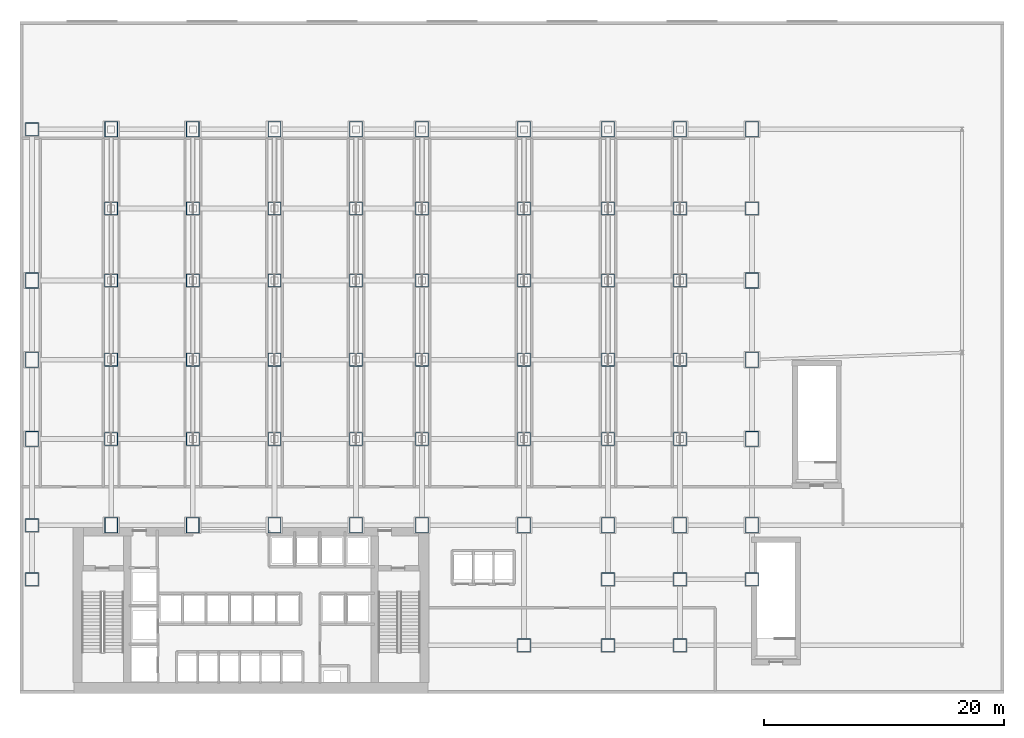
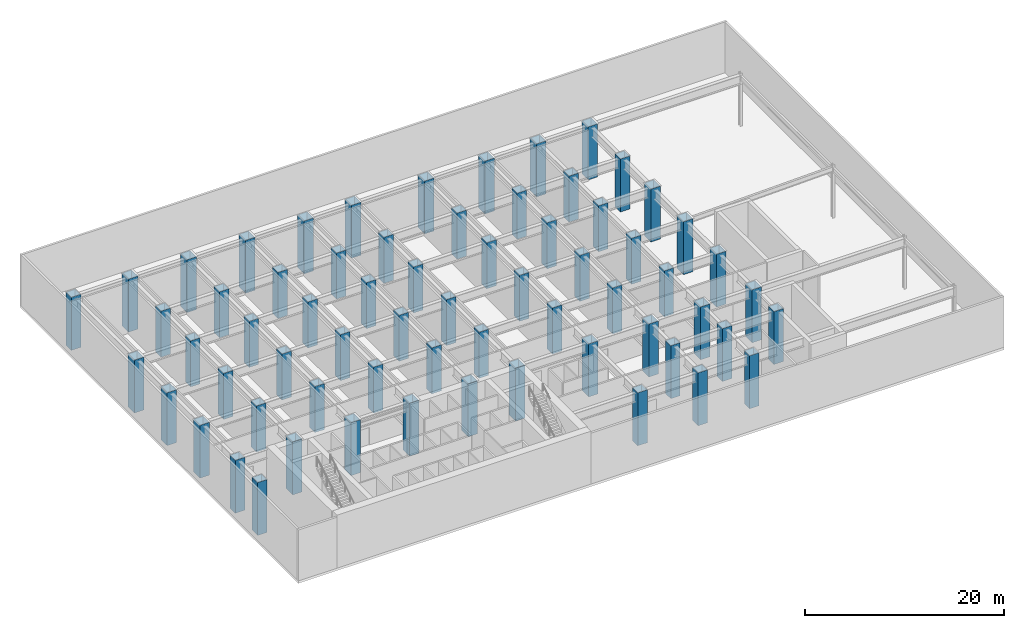
# One storey, part 1 of 15: 66 columns.
"""IFC4 building model written with IfcOpenShell, lengths in metres."""

from ifc_helpers import new_model, si_unit, derived_unit, direction, frame, origin, origin_2d, place, context, subcontext, project, spatial, hollow_rectangle, extrude, source, transform, mapped, material, material_profile, profile_set, type_object, element, save


model = new_model("IFC4")

# Units and contexts
model_context = context("Model", 3, precision=1e-05, world=origin(), true_north=direction((0.0, 1.0)))
body_context = subcontext(model_context, "Body", "Model", "MODEL_VIEW")
ifc_project = project(units=[si_unit("LENGTHUNIT", "METRE"), si_unit("AREAUNIT", "SQUARE_METRE"), si_unit("VOLUMEUNIT", "CUBIC_METRE"), si_unit("PLANEANGLEUNIT", "RADIAN"), si_unit("MASSUNIT", "GRAM", prefix="KILO"), derived_unit("THERMALTRANSMITTANCEUNIT", [(si_unit("POWERUNIT", "WATT"), 1), (si_unit("LENGTHUNIT", "METRE"), -2), (si_unit("THERMODYNAMICTEMPERATUREUNIT", "KELVIN"), -1)])], contexts=[model_context])

# Site, building, storey
site_placement = place(None, origin())
site = spatial("IfcSite", under=ifc_project, at=site_placement, CompositionType="ELEMENT")
building_placement = place(site_placement, origin())
building = spatial("IfcBuilding", under=site, at=building_placement, Name="Skarnbrae Concourse Arena and Tower", CompositionType="ELEMENT")
storey_placement = place(building_placement, frame((0.0, 0.0, 26.0)))
storey = spatial("IfcBuildingStorey", under=building, at=storey_placement, Name="L05", CompositionType="ELEMENT", Elevation=26.0)

# Columns
ifc_material = material(Name="Steel CSA G40.21 350W", Category="steel")
ifc_material_profile_1 = material_profile(ifc_material, hollow_rectangle(XDim=1.10009765625, YDim=1.10009765625, WallThickness=0.050048828125, at=origin_2d()), Name="BOX1100X1100X50")
ifc_profile_set_1 = profile_set([ifc_material_profile_1], Name="Steel CSA G40.21 350W")
column_type_1 = type_object("IfcColumnType", Name="COL-MEGA-BOX1100", PredefinedType="PILASTER", material=ifc_profile_set_1)
shared_shape_1 = source(origin(), body_context, "Body", "SweptSolid", [
    extrude(hollow_rectangle(XDim=1.10009765625, YDim=1.10009765625, WallThickness=0.050048828125, at=origin_2d()), origin(), (0.0, 0.0, 1.0), 6.5),
])
for number, where, z_axis, x_axis, name in (
    (1, (1.0, 9.5, 0.0), (0.0, 0.0, 1.0), (1.0, 0.0, 0.0), "L05 Podium mega-column MC-W0"),
    (2, (1.0, 14.0, 0.0), (0.0, 0.0, 1.0), (1.0, 0.0, 0.0), "L05 Podium mega-column MC-W1"),
    (3, (1.0, 47.0, 0.0), (0.0, 0.0, 1.0), (1.0, 0.0, 0.0), "L05 Podium mega-column MC-W6"),
    (4, (61.0, 9.5, 0.0), (0.0, 0.0, 1.0), (1.0, 0.0, 0.0), "L05 Podium mega-column MC-E0"),
    (5, (61.0, 40.39990234375, 0.0), (0.0, 0.0, 1.0), (1.0, 0.0, 0.0), "L05 Podium mega-column MC-E4"),
    (6, (49.0, 9.5, 0.0), (0.0, 0.0, 1.0), (1.0, 0.0, 0.0), "L05 Podium mega-column PC-SE8"),
    (7, (55.0, 9.5, 0.0), (0.0, 0.0, 1.0), (1.0, 0.0, 0.0), "L05 Podium mega-column PC-SE9"),
    (8, (42.0, 4.0, 0.0), (0.0, 0.0, 1.0), (1.0, 0.0, 0.0), "L05 Podium mega-column PC-7B"),
    (9, (49.0, 4.0, 0.0), (0.0, 0.0, 1.0), (1.0, 0.0, 0.0), "L05 Podium mega-column PC-8B"),
    (10, (55.0, 4.0, 0.0), (0.0, 0.0, 1.0), (1.0, 0.0, 0.0), "L05 Podium mega-column PC-9B"),
):
    element("IfcColumn", number, at=place(storey_placement, frame(where, z_axis=z_axis, x_axis=x_axis)), inside=storey, type_object=column_type_1, Name=name, PredefinedType="PILASTER", context=body_context, shape_type="MappedRepresentation", body=[
        mapped(shared_shape_1, transform((0.0, 0.0, 0.0))),
    ])
ifc_material_profile_2 = material_profile(ifc_material, hollow_rectangle(XDim=1.10009765625, YDim=1.300048828125, WallThickness=0.054931640625, at=origin_2d()), Name="BOX1300X1100X55")
ifc_profile_set_2 = profile_set([ifc_material_profile_2], Name="Steel CSA G40.21 350W")
column_type_2 = type_object("IfcColumnType", Name="COL-MEGA-BOX1300", PredefinedType="PILASTER", material=ifc_profile_set_2)
shared_shape_2 = source(origin(), body_context, "Body", "SweptSolid", [
    extrude(hollow_rectangle(XDim=1.10009765625, YDim=1.300048828125, WallThickness=0.054931640625, at=origin_2d()), origin(), (0.0, 0.0, 1.0), 6.5),
])
for number, where, z_axis, x_axis, name in (
    (11, (1.0, 21.199951171875, 0.0), (0.0, 0.0, 1.0), (1.0, 0.0, 0.0), "L05 Podium mega-column MC-W2"),
    (12, (1.0, 27.800048828125, 0.0), (0.0, 0.0, 1.0), (1.0, 0.0, 0.0), "L05 Podium mega-column MC-W3"),
    (13, (1.0, 34.39990234375, 0.0), (0.0, 0.0, 1.0), (1.0, 0.0, 0.0), "L05 Podium mega-column MC-W4"),
    (14, (7.60009765625, 14.0, 0.0), (0.0, 0.0, 1.0), (1.0, 0.0, 0.0), "L05 Podium mega-column MC-S2"),
    (15, (14.39990234375, 14.0, 0.0), (0.0, 0.0, 1.0), (1.0, 0.0, 0.0), "L05 Podium mega-column MC-S3"),
    (16, (21.199951171875, 14.0, 0.0), (0.0, 0.0, 1.0), (1.0, 0.0, 0.0), "L05 Podium mega-column MC-S4"),
    (17, (28.0, 14.0, 0.0), (0.0, 0.0, 1.0), (1.0, 0.0, 0.0), "L05 Podium mega-column MC-S5"),
    (18, (33.5, 14.0, 0.0), (0.0, 0.0, 1.0), (1.0, 0.0, 0.0), "L05 Podium mega-column MC-S6"),
    (19, (42.0, 14.0, 0.0), (0.0, 0.0, 1.0), (1.0, 0.0, 0.0), "L05 Podium mega-column MC-S7"),
    (20, (49.0, 14.0, 0.0), (0.0, 0.0, 1.0), (1.0, 0.0, 0.0), "L05 Podium mega-column MC-S8"),
    (21, (55.0, 14.0, 0.0), (0.0, 0.0, 1.0), (1.0, 0.0, 0.0), "L05 Podium mega-column MC-S9"),
    (22, (61.0, 14.0, 0.0), (0.0, 0.0, 1.0), (1.0, 0.0, 0.0), "L05 Podium mega-column MC-S10"),
    (23, (7.60009765625, 47.0, 0.0), (0.0, 0.0, 1.0), (1.0, 0.0, 0.0), "L05 Podium mega-column MC-N2"),
    (24, (14.39990234375, 47.0, 0.0), (0.0, 0.0, 1.0), (1.0, 0.0, 0.0), "L05 Podium mega-column MC-N3"),
    (25, (21.199951171875, 47.0, 0.0), (0.0, 0.0, 1.0), (1.0, 0.0, 0.0), "L05 Podium mega-column MC-N4"),
    (26, (28.0, 47.0, 0.0), (0.0, 0.0, 1.0), (1.0, 0.0, 0.0), "L05 Podium mega-column MC-N5"),
    (27, (33.5, 47.0, 0.0), (0.0, 0.0, 1.0), (1.0, 0.0, 0.0), "L05 Podium mega-column MC-N6"),
    (28, (42.0, 47.0, 0.0), (0.0, 0.0, 1.0), (1.0, 0.0, 0.0), "L05 Podium mega-column MC-N7"),
    (29, (49.0, 47.0, 0.0), (0.0, 0.0, 1.0), (1.0, 0.0, 0.0), "L05 Podium mega-column MC-N8"),
    (30, (55.0, 47.0, 0.0), (0.0, 0.0, 1.0), (1.0, 0.0, 0.0), "L05 Podium mega-column MC-N9"),
    (31, (61.0, 47.0, 0.0), (0.0, 0.0, 1.0), (1.0, 0.0, 0.0), "L05 Podium mega-column MC-N10"),
    (32, (61.0, 21.199951171875, 0.0), (0.0, 0.0, 1.0), (1.0, 0.0, 0.0), "L05 Podium mega-column MC-E1"),
    (33, (61.0, 27.800048828125, 0.0), (0.0, 0.0, 1.0), (1.0, 0.0, 0.0), "L05 Podium mega-column MC-E2"),
    (34, (61.0, 34.39990234375, 0.0), (0.0, 0.0, 1.0), (1.0, 0.0, 0.0), "L05 Podium mega-column MC-E3"),
):
    element("IfcColumn", number, at=place(storey_placement, frame(where, z_axis=z_axis, x_axis=x_axis)), inside=storey, type_object=column_type_2, Name=name, PredefinedType="PILASTER", context=body_context, shape_type="MappedRepresentation", body=[
        mapped(shared_shape_2, transform((0.0, 0.0, 0.0))),
    ])
shared_shape_3 = source(origin(), body_context, "Body", "SweptSolid", [
    extrude(hollow_rectangle(XDim=1.10009765625, YDim=1.10009765625, WallThickness=0.050048828125, at=origin_2d()), origin(), (0.0, 0.0, 1.0), 5.64990234375),
])
for number, where, z_axis, x_axis, name in (
    (35, (7.60009765625, 21.199951171875, 0.85009765625), (0.0, 0.0, 1.0), (1.0, 0.0, 0.0), "L05 Transfer truss vertical chord post T1.1"),
    (36, (7.60009765625, 27.800048828125, 0.85009765625), (0.0, 0.0, 1.0), (1.0, 0.0, 0.0), "L05 Transfer truss vertical chord post T1.2"),
    (37, (7.60009765625, 34.39990234375, 0.85009765625), (0.0, 0.0, 1.0), (1.0, 0.0, 0.0), "L05 Transfer truss vertical chord post T1.3"),
    (38, (7.60009765625, 40.39990234375, 0.85009765625), (0.0, 0.0, 1.0), (1.0, 0.0, 0.0), "L05 Transfer truss vertical chord post T1.4"),
    (39, (14.39990234375, 21.199951171875, 0.85009765625), (0.0, 0.0, 1.0), (1.0, 0.0, 0.0), "L05 Transfer truss vertical chord post T2.1"),
    (40, (14.39990234375, 27.800048828125, 0.85009765625), (0.0, 0.0, 1.0), (1.0, 0.0, 0.0), "L05 Transfer truss vertical chord post T2.2"),
    (41, (14.39990234375, 34.39990234375, 0.85009765625), (0.0, 0.0, 1.0), (1.0, 0.0, 0.0), "L05 Transfer truss vertical chord post T2.3"),
    (42, (14.39990234375, 40.39990234375, 0.85009765625), (0.0, 0.0, 1.0), (1.0, 0.0, 0.0), "L05 Transfer truss vertical chord post T2.4"),
    (43, (21.199951171875, 21.199951171875, 0.85009765625), (0.0, 0.0, 1.0), (1.0, 0.0, 0.0), "L05 Transfer truss vertical chord post T3.1"),
    (44, (21.199951171875, 27.800048828125, 0.85009765625), (0.0, 0.0, 1.0), (1.0, 0.0, 0.0), "L05 Transfer truss vertical chord post T3.2"),
    (45, (21.199951171875, 34.39990234375, 0.85009765625), (0.0, 0.0, 1.0), (1.0, 0.0, 0.0), "L05 Transfer truss vertical chord post T3.3"),
    (46, (21.199951171875, 40.39990234375, 0.85009765625), (0.0, 0.0, 1.0), (1.0, 0.0, 0.0), "L05 Transfer truss vertical chord post T3.4"),
    (47, (28.0, 21.199951171875, 0.85009765625), (0.0, 0.0, 1.0), (1.0, 0.0, 0.0), "L05 Transfer truss vertical chord post T4.1"),
    (48, (28.0, 27.800048828125, 0.85009765625), (0.0, 0.0, 1.0), (1.0, 0.0, 0.0), "L05 Transfer truss vertical chord post T4.2"),
    (49, (28.0, 34.39990234375, 0.85009765625), (0.0, 0.0, 1.0), (1.0, 0.0, 0.0), "L05 Transfer truss vertical chord post T4.3"),
    (50, (28.0, 40.39990234375, 0.85009765625), (0.0, 0.0, 1.0), (1.0, 0.0, 0.0), "L05 Transfer truss vertical chord post T4.4"),
    (51, (33.5, 21.199951171875, 0.85009765625), (0.0, 0.0, 1.0), (1.0, 0.0, 0.0), "L05 Transfer truss vertical chord post T5.1"),
    (52, (33.5, 27.800048828125, 0.85009765625), (0.0, 0.0, 1.0), (1.0, 0.0, 0.0), "L05 Transfer truss vertical chord post T5.2"),
    (53, (33.5, 34.39990234375, 0.85009765625), (0.0, 0.0, 1.0), (1.0, 0.0, 0.0), "L05 Transfer truss vertical chord post T5.3"),
    (54, (33.5, 40.39990234375, 0.85009765625), (0.0, 0.0, 1.0), (1.0, 0.0, 0.0), "L05 Transfer truss vertical chord post T5.4"),
    (55, (42.0, 21.199951171875, 0.85009765625), (0.0, 0.0, 1.0), (1.0, 0.0, 0.0), "L05 Transfer truss vertical chord post T6.1"),
    (56, (42.0, 27.800048828125, 0.85009765625), (0.0, 0.0, 1.0), (1.0, 0.0, 0.0), "L05 Transfer truss vertical chord post T6.2"),
    (57, (42.0, 34.39990234375, 0.85009765625), (0.0, 0.0, 1.0), (1.0, 0.0, 0.0), "L05 Transfer truss vertical chord post T6.3"),
    (58, (42.0, 40.39990234375, 0.85009765625), (0.0, 0.0, 1.0), (1.0, 0.0, 0.0), "L05 Transfer truss vertical chord post T6.4"),
    (59, (49.0, 21.199951171875, 0.85009765625), (0.0, 0.0, 1.0), (1.0, 0.0, 0.0), "L05 Transfer truss vertical chord post T7.1"),
    (60, (49.0, 27.800048828125, 0.85009765625), (0.0, 0.0, 1.0), (1.0, 0.0, 0.0), "L05 Transfer truss vertical chord post T7.2"),
    (61, (49.0, 34.39990234375, 0.85009765625), (0.0, 0.0, 1.0), (1.0, 0.0, 0.0), "L05 Transfer truss vertical chord post T7.3"),
    (62, (49.0, 40.39990234375, 0.85009765625), (0.0, 0.0, 1.0), (1.0, 0.0, 0.0), "L05 Transfer truss vertical chord post T7.4"),
    (63, (55.0, 21.199951171875, 0.85009765625), (0.0, 0.0, 1.0), (1.0, 0.0, 0.0), "L05 Transfer truss vertical chord post T8.1"),
    (64, (55.0, 27.800048828125, 0.85009765625), (0.0, 0.0, 1.0), (1.0, 0.0, 0.0), "L05 Transfer truss vertical chord post T8.2"),
    (65, (55.0, 34.39990234375, 0.85009765625), (0.0, 0.0, 1.0), (1.0, 0.0, 0.0), "L05 Transfer truss vertical chord post T8.3"),
    (66, (55.0, 40.39990234375, 0.85009765625), (0.0, 0.0, 1.0), (1.0, 0.0, 0.0), "L05 Transfer truss vertical chord post T8.4"),
):
    element("IfcColumn", number, at=place(storey_placement, frame(where, z_axis=z_axis, x_axis=x_axis)), inside=storey, type_object=column_type_1, Name=name, PredefinedType="PILASTER", context=body_context, shape_type="MappedRepresentation", body=[
        mapped(shared_shape_3, transform((0.0, 0.0, 0.0))),
    ])

save(model, "model.ifc")
